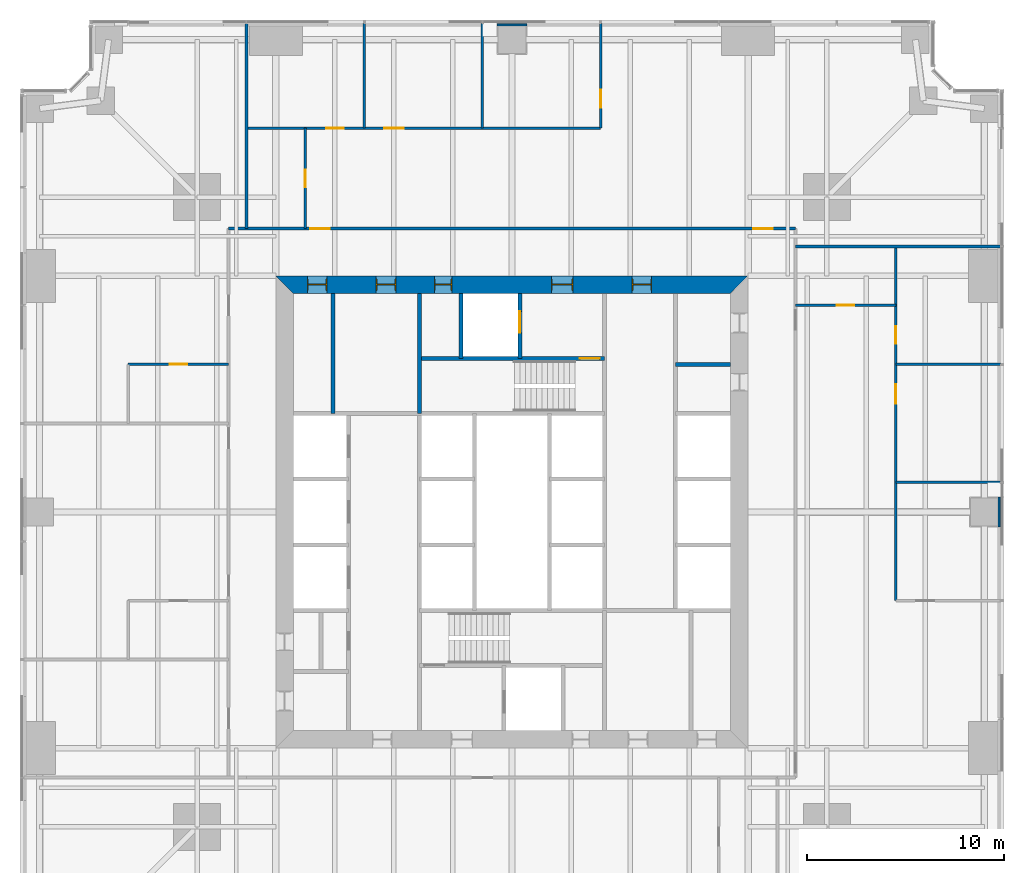
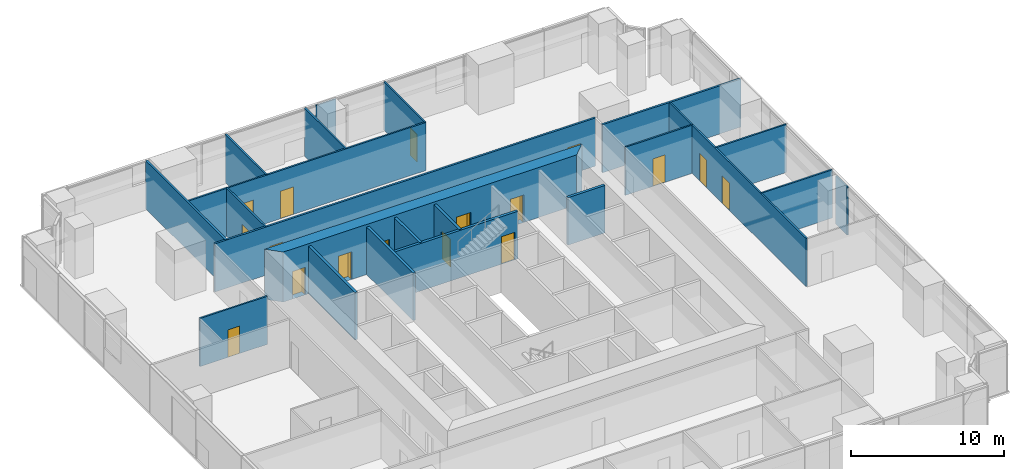
# One storey, part 11 of 14: 22 walls, 17 doors, 17 openings.
"""IFC4 building model written with IfcOpenShell, lengths in metres."""

from ifc_helpers import new_model, si_unit, direction, frame, frame_2d, origin, place, context, subcontext, project, spatial, polyline, rectangle, outline, extrude, material, layer, layer_set, type_object, element, fill, save


model = new_model("IFC4")

# Units and contexts
model_context = context("Model", 3, precision=1e-05, world=origin(), true_north=direction((0.0, 1.0)))
body_context = subcontext(model_context, "Body", "Model", "MODEL_VIEW")
ifc_project = project(units=[si_unit("LENGTHUNIT", "METRE"), si_unit("AREAUNIT", "SQUARE_METRE"), si_unit("VOLUMEUNIT", "CUBIC_METRE"), si_unit("PLANEANGLEUNIT", "RADIAN"), si_unit("MASSUNIT", "GRAM", prefix="KILO")], contexts=[model_context])

# Site, building, storey
site_placement = place(None, origin())
site = spatial("IfcSite", under=ifc_project, at=site_placement, CompositionType="ELEMENT")
building_placement = place(site_placement, origin())
building = spatial("IfcBuilding", under=site, at=building_placement, Name="Fenwick Lantern Interchange", CompositionType="ELEMENT")
storey_placement = place(building_placement, frame((0.0, 0.0, 83.0)))
storey = spatial("IfcBuildingStorey", under=building, at=storey_placement, Name="L19", CompositionType="ELEMENT", Elevation=83.0)

# Walls
ifc_material_1 = material(Name="Fire-rated gypsum board encasement on steel studs, 2 hour", Category="steel")
ifc_layer_1 = layer(ifc_material_1, 1.5)
ifc_layer_set_1 = layer_set([ifc_layer_1], Name="COLUMN PIER 1500")
wall_type_1 = type_object("IfcWallType", Name="COLUMN PIER 1500", PredefinedType="PARTITIONING", material=ifc_layer_set_1)
for number, where, z_axis, x_axis, name in (
    (1, (49.800048828125, 25.0, 0.0), (0.0, 0.0, 1.0), (-1.0, 0.0, 0.0), "L19/W/PIER/CE3"),
    (2, (25.0, 49.800048828125, 0.0), (0.0, 0.0, 1.0), (0.0, -1.0, 0.0), "L19/W/PIER/CN3"),
):
    element("IfcWall", number, at=place(storey_placement, frame(where, z_axis=z_axis, x_axis=x_axis)), inside=storey, type_object=wall_type_1, Name=name, PredefinedType="PARTITIONING", context=body_context, shape_type="SweptSolid", body=[
        extrude(rectangle(XDim=0.10009765625, YDim=1.5, at=frame_2d((0.050048828125, 0.0))), origin(), (0.0, 0.0, 1.0), 3.85009765625),
    ])

# Wall, opening, door
ifc_material_2 = material(Name="Concrete masonry ASTM C90 Grade N", Category="masonry")
ifc_layer_2 = layer(ifc_material_2, 0.199951171875)
ifc_layer_set_2 = layer_set([ifc_layer_2], Name="Concrete masonry ASTM C90 Grade N")
wall_type_2 = type_object("IfcWallType", Name="CORE PARTITION 200", PredefinedType="PARTITIONING", material=ifc_layer_set_2)
wall_1_placement = place(storey_placement, frame((25.39990234375, 36.10009765625, 0.0), z_axis=(0.0, 0.0, 1.0), x_axis=(0.0, -1.0, 0.0)))
wall_1 = element("IfcWall", 3, at=wall_1_placement, inside=storey, type_object=wall_type_2, Name="L19/W/COREN/h1", PredefinedType="PARTITIONING", context=body_context, shape_type="SweptSolid", body=[
    extrude(rectangle(XDim=3.300048828125, YDim=0.199951171875, at=frame_2d((1.64990234375, 0.0))), origin(), (0.0, 0.0, 1.0), 3.800048828125),
])
opening_1_placement = place(wall_1_placement, frame((0.89990234375, 0.0, 0.0)))
opening_1 = element("IfcOpeningElement", 4, at=opening_1_placement, cuts=wall_1, Name="Opening LD-FL2", PredefinedType="OPENING", context=body_context, shape_type="SweptSolid", body=[
    extrude(rectangle(XDim=1.10009765625, YDim=2.199951171875, at=frame_2d((0.550048828125, 1.10009765625))), frame((0.0, 0.10986328125, 0.0), z_axis=(0.0, -1.0, 0.0), x_axis=(1.0, 0.0, 0.0)), (0.0, 0.0, 1.0), 0.219970703125),
])
ifc_material_3 = material(Name="Steel door and frame", Category="steel")
door_type_1 = type_object("IfcDoorType", Name="LIFT LANDING DOOR 1100 X 2200", OperationType="DOUBLE_DOOR_SLIDING", PredefinedType="DOOR", material=ifc_material_3)
door_1_placement = place(opening_1_placement, origin())
door_1 = element("IfcDoor", 5, at=door_1_placement, inside=storey, type_object=door_type_1, Name="Lift landing door FL2", OperationType="DOUBLE_DOOR_SLIDING", OverallHeight=2.199951171875, OverallWidth=1.10009765625, PredefinedType="DOOR", context=body_context, shape_type="SweptSolid", body=[
    extrude(rectangle(XDim=1.10009765625, YDim=2.199951171875, at=frame_2d((0.550048828125, 1.10009765625))), frame((0.0, 0.02490234375, 0.0), z_axis=(0.0, -1.0, 0.0), x_axis=(1.0, 0.0, 0.0)), (0.0, 0.0, 1.0), 0.050048828125),
])
fill(opening_1, door_1)

# Walls
wall_2_placement = place(storey_placement, frame((22.39990234375, 36.10009765625, 0.0), z_axis=(0.0, 0.0, 1.0), x_axis=(0.0, -1.0, 0.0)))
element("IfcWall", 6, at=wall_2_placement, inside=storey, type_object=wall_type_2, Name="L19/W/COREN/h2", PredefinedType="PARTITIONING", context=body_context, shape_type="SweptSolid", body=[
    extrude(rectangle(XDim=3.300048828125, YDim=0.199951171875, at=frame_2d((1.64990234375, 0.0))), origin(), (0.0, 0.0, 1.0), 3.800048828125),
])
wall_3_placement = place(storey_placement, frame((15.89990234375, 36.10009765625, 0.0), z_axis=(0.0, 0.0, 1.0), x_axis=(0.0, -1.0, 0.0)))
element("IfcWall", 7, at=wall_3_placement, inside=storey, type_object=wall_type_2, Name="L19/W/COREN/i2", PredefinedType="PARTITIONING", context=body_context, shape_type="SweptSolid", body=[
    extrude(rectangle(XDim=6.10009765625, YDim=0.199951171875, at=frame_2d((3.050048828125, 0.0))), origin(), (0.0, 0.0, 1.0), 3.800048828125),
])
wall_4_placement = place(storey_placement, frame((36.10009765625, 32.5, 0.0), z_axis=(0.0, 0.0, 1.0), x_axis=(-1.0, 0.0, 0.0)))
element("IfcWall", 8, at=wall_4_placement, inside=storey, type_object=wall_type_2, Name="L19/W/COREN/p1", PredefinedType="PARTITIONING", context=body_context, shape_type="SweptSolid", body=[
    extrude(rectangle(XDim=2.800048828125, YDim=0.199951171875, at=frame_2d((1.39990234375, 0.0))), origin(), (0.0, 0.0, 1.0), 3.800048828125),
])

# Wall, openings, doors
ifc_material_4 = material(Name="Concrete f'c 70 MPa", Category="concrete")
ifc_layer_3 = layer(ifc_material_4, 0.89990234375)
ifc_layer_set_3 = layer_set([ifc_layer_3], Name="CORE WALL 900")
wall_type_3 = type_object("IfcWallType", Name="CORE WALL 900", PredefinedType="SHEAR", material=ifc_layer_set_3)
wall_5_placement = place(storey_placement, frame((37.0, 36.550048828125, 0.0), z_axis=(0.0, 0.0, 1.0), x_axis=(-1.0, 0.0, 0.0)))
wall_5 = element("IfcWall", 9, at=wall_5_placement, inside=storey, type_object=wall_type_3, Name="L19/CORE/N", PredefinedType="SHEAR", context=body_context, shape_type="SweptSolid", body=[
    extrude(outline(polyline([(0.0, -0.449951171875), (24.0, -0.449951171875), (23.10009765625, 0.449951171875), (0.89990234375, 0.449951171875), (0.0, -0.449951171875)])), origin(), (0.0, 0.0, 1.0), 4.0),
])
opening_2_placement = place(wall_5_placement, frame((4.89990234375, 0.0, 0.0)))
opening_2 = element("IfcOpeningElement", 10, at=opening_2_placement, cuts=wall_5, Name="Opening L19-D010", PredefinedType="OPENING", context=body_context, shape_type="SweptSolid", body=[
    extrude(rectangle(XDim=1.0, YDim=2.199951171875, at=frame_2d((0.5, 1.10009765625))), frame((0.0, 0.4599609375, 0.0), z_axis=(0.0, -1.0, 0.0), x_axis=(1.0, 0.0, 0.0)), (0.0, 0.0, 1.0), 0.919921875),
])
opening_3_placement = place(wall_5_placement, frame((8.89990234375, 0.0, 0.0)))
opening_3 = element("IfcOpeningElement", 11, at=opening_3_placement, cuts=wall_5, Name="Opening L19-D011", PredefinedType="OPENING", context=body_context, shape_type="SweptSolid", body=[
    extrude(rectangle(XDim=1.10009765625, YDim=2.199951171875, at=frame_2d((0.550048828125, 1.10009765625))), frame((0.0, 0.4599609375, 0.0), z_axis=(0.0, -1.0, 0.0), x_axis=(1.0, 0.0, 0.0)), (0.0, 0.0, 1.0), 0.919921875),
])
opening_4_placement = place(wall_5_placement, frame((15.050048828125, 0.0, 0.0)))
opening_4 = element("IfcOpeningElement", 12, at=opening_4_placement, cuts=wall_5, Name="Opening L19-D013", PredefinedType="OPENING", context=body_context, shape_type="SweptSolid", body=[
    extrude(rectangle(XDim=0.89990234375, YDim=2.199951171875, at=frame_2d((0.449951171875, 1.10009765625))), frame((0.0, 0.4599609375, 0.0), z_axis=(0.0, -1.0, 0.0), x_axis=(1.0, 0.0, 0.0)), (0.0, 0.0, 1.0), 0.919921875),
])
opening_5_placement = place(wall_5_placement, frame((17.89990234375, 0.0, 0.0)))
opening_5 = element("IfcOpeningElement", 13, at=opening_5_placement, cuts=wall_5, Name="Opening L19-D014", PredefinedType="OPENING", context=body_context, shape_type="SweptSolid", body=[
    extrude(rectangle(XDim=1.0, YDim=2.199951171875, at=frame_2d((0.5, 1.10009765625))), frame((0.0, 0.4599609375, 0.0), z_axis=(0.0, -1.0, 0.0), x_axis=(1.0, 0.0, 0.0)), (0.0, 0.0, 1.0), 0.919921875),
])
opening_6_placement = place(wall_5_placement, frame((21.39990234375, 0.0, 0.0)))
opening_6 = element("IfcOpeningElement", 14, at=opening_6_placement, cuts=wall_5, Name="Opening L19-D015", PredefinedType="OPENING", context=body_context, shape_type="SweptSolid", body=[
    extrude(rectangle(XDim=1.0, YDim=2.199951171875, at=frame_2d((0.5, 1.10009765625))), frame((0.0, 0.4599609375, 0.0), z_axis=(0.0, -1.0, 0.0), x_axis=(1.0, 0.0, 0.0)), (0.0, 0.0, 1.0), 0.919921875),
])
door_type_2 = type_object("IfcDoorType", Name="CORE LOBBY DOOR 1000 X 2200", OperationType="SINGLE_SWING_LEFT", PredefinedType="DOOR", material=ifc_material_3)
door_2_placement = place(opening_2_placement, origin())
door_2 = element("IfcDoor", 15, at=door_2_placement, inside=storey, type_object=door_type_2, Name="Core lobby door", OperationType="SINGLE_SWING_LEFT", OverallHeight=2.199951171875, OverallWidth=1.0, PredefinedType="DOOR", context=body_context, shape_type="SweptSolid", body=[
    extrude(rectangle(XDim=1.0, YDim=2.199951171875, at=frame_2d((0.5, 1.10009765625))), frame((0.0, 0.02490234375, 0.0), z_axis=(0.0, -1.0, 0.0), x_axis=(1.0, 0.0, 0.0)), (0.0, 0.0, 1.0), 0.050048828125),
    extrude(outline(polyline([(0.0, 0.0), (0.0400390625, 0.0), (0.0400390625, 2.159912109375), (0.9599609375, 2.159912109375), (0.9599609375, 0.0), (1.0, 0.0), (1.0, 2.199951171875), (0.0, 2.199951171875), (0.0, 0.0)])), frame((0.0, 0.300048828125, 0.0), z_axis=(0.0, -1.0, 0.0), x_axis=(1.0, 0.0, 0.0)), (0.0, 0.0, 1.0), 0.60009765625),
])
fill(opening_2, door_2)
door_type_3 = type_object("IfcDoorType", Name="FIRE LOBBY DOOR 1100 X 2200", OperationType="SINGLE_SWING_LEFT", PredefinedType="DOOR", material=ifc_material_3)
door_3_placement = place(opening_3_placement, origin())
door_3 = element("IfcDoor", 16, at=door_3_placement, inside=storey, type_object=door_type_3, Name="Fire lobby door", OperationType="SINGLE_SWING_LEFT", OverallHeight=2.199951171875, OverallWidth=1.10009765625, PredefinedType="DOOR", context=body_context, shape_type="SweptSolid", body=[
    extrude(rectangle(XDim=1.10009765625, YDim=2.199951171875, at=frame_2d((0.550048828125, 1.10009765625))), frame((0.0, 0.02490234375, 0.0), z_axis=(0.0, -1.0, 0.0), x_axis=(1.0, 0.0, 0.0)), (0.0, 0.0, 1.0), 0.050048828125),
    extrude(outline(polyline([(0.0, 0.0), (0.0400390625, 0.0), (0.0400390625, 2.159912109375), (1.06005859375, 2.159912109375), (1.06005859375, 0.0), (1.10009765625, 0.0), (1.10009765625, 2.199951171875), (0.0, 2.199951171875), (0.0, 0.0)])), frame((0.0, 0.300048828125, 0.0), z_axis=(0.0, -1.0, 0.0), x_axis=(1.0, 0.0, 0.0)), (0.0, 0.0, 1.0), 0.60009765625),
])
fill(opening_3, door_3)
door_type_4 = type_object("IfcDoorType", Name="SERVICE DOOR 900 X 2200", OperationType="SINGLE_SWING_LEFT", PredefinedType="DOOR", material=ifc_material_3)
door_4_placement = place(opening_4_placement, origin())
door_4 = element("IfcDoor", 17, at=door_4_placement, inside=storey, type_object=door_type_4, Name="Service door", OperationType="SINGLE_SWING_LEFT", OverallHeight=2.199951171875, OverallWidth=0.89990234375, PredefinedType="DOOR", context=body_context, shape_type="SweptSolid", body=[
    extrude(rectangle(XDim=0.89990234375, YDim=2.199951171875, at=frame_2d((0.449951171875, 1.10009765625))), frame((0.0, 0.02490234375, 0.0), z_axis=(0.0, -1.0, 0.0), x_axis=(1.0, 0.0, 0.0)), (0.0, 0.0, 1.0), 0.050048828125),
    extrude(outline(polyline([(0.0, 0.0), (0.0400390625, 0.0), (0.0400390625, 2.159912109375), (0.85986328125, 2.159912109375), (0.85986328125, 0.0), (0.89990234375, 0.0), (0.89990234375, 2.199951171875), (0.0, 2.199951171875), (0.0, 0.0)])), frame((0.0, 0.300048828125, 0.0), z_axis=(0.0, -1.0, 0.0), x_axis=(1.0, 0.0, 0.0)), (0.0, 0.0, 1.0), 0.60009765625),
])
fill(opening_4, door_4)
ifc_material_5 = material(Name="Hardwood door and steel frame", Category="steel")
door_type_5 = type_object("IfcDoorType", Name="WC DOOR 1000 X 2200", OperationType="SINGLE_SWING_LEFT", PredefinedType="DOOR", material=ifc_material_5)
door_5_placement = place(opening_5_placement, origin())
door_5 = element("IfcDoor", 18, at=door_5_placement, inside=storey, type_object=door_type_5, Name="Wc door", OperationType="SINGLE_SWING_LEFT", OverallHeight=2.199951171875, OverallWidth=1.0, PredefinedType="DOOR", context=body_context, shape_type="SweptSolid", body=[
    extrude(rectangle(XDim=1.0, YDim=2.199951171875, at=frame_2d((0.5, 1.10009765625))), frame((0.0, 0.02490234375, 0.0), z_axis=(0.0, -1.0, 0.0), x_axis=(1.0, 0.0, 0.0)), (0.0, 0.0, 1.0), 0.050048828125),
    extrude(outline(polyline([(0.0, 0.0), (0.0400390625, 0.0), (0.0400390625, 2.159912109375), (0.9599609375, 2.159912109375), (0.9599609375, 0.0), (1.0, 0.0), (1.0, 2.199951171875), (0.0, 2.199951171875), (0.0, 0.0)])), frame((0.0, 0.300048828125, 0.0), z_axis=(0.0, -1.0, 0.0), x_axis=(1.0, 0.0, 0.0)), (0.0, 0.0, 1.0), 0.60009765625),
])
fill(opening_5, door_5)
door_6_placement = place(opening_6_placement, origin())
door_6 = element("IfcDoor", 19, at=door_6_placement, inside=storey, type_object=door_type_5, Name="Wc door", OperationType="SINGLE_SWING_LEFT", OverallHeight=2.199951171875, OverallWidth=1.0, PredefinedType="DOOR", context=body_context, shape_type="SweptSolid", body=[
    extrude(rectangle(XDim=1.0, YDim=2.199951171875, at=frame_2d((0.5, 1.10009765625))), frame((0.0, 0.02490234375, 0.0), z_axis=(0.0, -1.0, 0.0), x_axis=(1.0, 0.0, 0.0)), (0.0, 0.0, 1.0), 0.050048828125),
    extrude(outline(polyline([(0.0, 0.0), (0.0400390625, 0.0), (0.0400390625, 2.159912109375), (0.9599609375, 2.159912109375), (0.9599609375, 0.0), (1.0, 0.0), (1.0, 2.199951171875), (0.0, 2.199951171875), (0.0, 0.0)])), frame((0.0, 0.300048828125, 0.0), z_axis=(0.0, -1.0, 0.0), x_axis=(1.0, 0.0, 0.0)), (0.0, 0.0, 1.0), 0.60009765625),
])
fill(opening_6, door_6)

ifc_material_6 = material(Name="Gypsum board on steel studs, 1 hour", Category="steel")
ifc_layer_4 = layer(ifc_material_6, 0.14990234375)
ifc_layer_set_4 = layer_set([ifc_layer_4], Name="CORRIDOR WALL 150")
wall_type_4 = type_object("IfcWallType", Name="CORRIDOR WALL 150", PredefinedType="PARTITIONING", material=ifc_layer_set_4)
wall_6_placement = place(storey_placement, frame((39.39990234375, 39.39990234375, 0.0), z_axis=(0.0, 0.0, 1.0), x_axis=(-1.0, 0.0, 0.0)))
wall_6 = element("IfcWall", 20, at=wall_6_placement, inside=storey, type_object=wall_type_4, Name="L19/W/OFF/N/CW2", PredefinedType="PARTITIONING", context=body_context, shape_type="SweptSolid", body=[
    extrude(rectangle(XDim=28.7998046875, YDim=0.14990234375, at=frame_2d((14.39990234375, 0.0))), origin(), (0.0, 0.0, 1.0), 3.85009765625),
])
opening_7_placement = place(wall_6_placement, frame((1.14990234375, 0.0, 0.0)))
opening_7 = element("IfcOpeningElement", 21, at=opening_7_placement, cuts=wall_6, Name="Opening L19-D030", PredefinedType="OPENING", context=body_context, shape_type="SweptSolid", body=[
    extrude(rectangle(XDim=1.0, YDim=2.199951171875, at=frame_2d((0.5, 1.10009765625))), frame((0.0, 0.0849609375, 0.0), z_axis=(0.0, -1.0, 0.0), x_axis=(1.0, 0.0, 0.0)), (0.0, 0.0, 1.0), 0.169921875),
])
opening_8_placement = place(wall_6_placement, frame((23.64990234375, 0.0, 0.0)))
opening_8 = element("IfcOpeningElement", 22, at=opening_8_placement, cuts=wall_6, Name="Opening L19-D031", PredefinedType="OPENING", context=body_context, shape_type="SweptSolid", body=[
    extrude(rectangle(XDim=1.0, YDim=2.199951171875, at=frame_2d((0.5, 1.10009765625))), frame((0.0, 0.0849609375, 0.0), z_axis=(0.0, -1.0, 0.0), x_axis=(1.0, 0.0, 0.0)), (0.0, 0.0, 1.0), 0.169921875),
])
door_type_6 = type_object("IfcDoorType", Name="SUITE ENTRANCE DOOR 1000 X 2200", OperationType="SINGLE_SWING_LEFT", PredefinedType="DOOR", material=ifc_material_3)
door_7_placement = place(opening_7_placement, origin())
door_7 = element("IfcDoor", 23, at=door_7_placement, inside=storey, type_object=door_type_6, Name="Suite entrance door", OperationType="SINGLE_SWING_LEFT", OverallHeight=2.199951171875, OverallWidth=1.0, PredefinedType="DOOR", context=body_context, shape_type="SweptSolid", body=[
    extrude(rectangle(XDim=1.0, YDim=2.199951171875, at=frame_2d((0.5, 1.10009765625))), frame((0.0, 0.02490234375, 0.0), z_axis=(0.0, -1.0, 0.0), x_axis=(1.0, 0.0, 0.0)), (0.0, 0.0, 1.0), 0.050048828125),
])
fill(opening_7, door_7)
door_8_placement = place(opening_8_placement, origin())
door_8 = element("IfcDoor", 24, at=door_8_placement, inside=storey, type_object=door_type_6, Name="Suite entrance door", OperationType="SINGLE_SWING_RIGHT", OverallHeight=2.199951171875, OverallWidth=1.0, PredefinedType="DOOR", context=body_context, shape_type="SweptSolid", body=[
    extrude(rectangle(XDim=1.0, YDim=2.199951171875, at=frame_2d((0.5, 1.10009765625))), frame((0.0, 0.02490234375, 0.0), z_axis=(0.0, -1.0, 0.0), x_axis=(1.0, 0.0, 0.0)), (0.0, 0.0, 1.0), 0.050048828125),
])
fill(opening_8, door_8)

# Walls
ifc_material_7 = material(Name="Gypsum board on steel studs, acoustic", Category="steel")
ifc_layer_5 = layer(ifc_material_7, 0.125)
ifc_layer_set_5 = layer_set([ifc_layer_5], Name="OFFICE PARTITION 125")
wall_type_5 = type_object("IfcWallType", Name="OFFICE PARTITION 125", PredefinedType="PARTITIONING", material=ifc_layer_set_5)
for number, where, z_axis, x_axis, name in (
    (25, (49.85009765625, 26.5, 0.0), (0.0, 0.0, 1.0), (-1.0, 0.0, 0.0), "L19/W/OFF/E/X265-1"),
    (26, (49.85009765625, 32.5, 0.0), (0.0, 0.0, 1.0), (-1.0, 0.0, 0.0), "L19/W/OFF/E/X325-1"),
):
    element("IfcWall", number, at=place(storey_placement, frame(where, z_axis=z_axis, x_axis=x_axis)), inside=storey, type_object=wall_type_5, Name=name, PredefinedType="PARTITIONING", context=body_context, shape_type="SweptSolid", body=[
        extrude(rectangle(XDim=5.35009765625, YDim=0.125, at=frame_2d((2.675048828125, 0.0))), origin(), (0.0, 0.0, 1.0), 3.85009765625),
    ])

# Wall, opening, door
wall_7_placement = place(storey_placement, frame((44.5, 35.5, 0.0), z_axis=(0.0, 0.0, 1.0), x_axis=(-1.0, 0.0, 0.0)))
wall_7 = element("IfcWall", 27, at=wall_7_placement, inside=storey, type_object=wall_type_5, Name="L19/W/OFF/E/X355-1", PredefinedType="PARTITIONING", context=body_context, shape_type="SweptSolid", body=[
    extrude(rectangle(XDim=5.10009765625, YDim=0.125, at=frame_2d((2.550048828125, 0.0))), origin(), (0.0, 0.0, 1.0), 3.85009765625),
])
opening_9_placement = place(wall_7_placement, frame((2.10009765625, 0.0, 0.0)))
opening_9 = element("IfcOpeningElement", 28, at=opening_9_placement, cuts=wall_7, Name="Opening L19-D029", PredefinedType="OPENING", context=body_context, shape_type="SweptSolid", body=[
    extrude(rectangle(XDim=0.89990234375, YDim=2.199951171875, at=frame_2d((0.449951171875, 1.10009765625))), frame((0.0, 0.072509765625, 0.0), z_axis=(0.0, -1.0, 0.0), x_axis=(1.0, 0.0, 0.0)), (0.0, 0.0, 1.0), 0.14501953125),
])
door_type_7 = type_object("IfcDoorType", Name="OFFICE DOOR 900 X 2200", OperationType="SINGLE_SWING_LEFT", PredefinedType="DOOR", material=ifc_material_5)
door_9_placement = place(opening_9_placement, frame((0.89990234375, 0.0, 0.0), z_axis=(0.0, 0.0, 1.0), x_axis=(-1.0, 0.0, 0.0)))
door_9 = element("IfcDoor", 29, at=door_9_placement, inside=storey, type_object=door_type_7, Name="Office door", OperationType="SINGLE_SWING_RIGHT", OverallHeight=2.199951171875, OverallWidth=0.89990234375, PredefinedType="DOOR", context=body_context, shape_type="SweptSolid", body=[
    extrude(rectangle(XDim=0.89990234375, YDim=2.199951171875, at=frame_2d((0.449951171875, 1.10009765625))), frame((0.0, 0.02490234375, 0.0), z_axis=(0.0, -1.0, 0.0), x_axis=(1.0, 0.0, 0.0)), (0.0, 0.0, 1.0), 0.050048828125),
])
fill(opening_9, door_9)

# Wall, openings, doors
wall_8_placement = place(storey_placement, frame((44.5, 20.5, 0.0), z_axis=(0.0, 0.0, 1.0), x_axis=(0.0, 1.0, 0.0)))
wall_8 = element("IfcWall", 30, at=wall_8_placement, inside=storey, type_object=wall_type_5, Name="L19/W/OFF/E/Y55-1", PredefinedType="PARTITIONING", context=body_context, shape_type="SweptSolid", body=[
    extrude(rectangle(XDim=18.0, YDim=0.125, at=frame_2d((9.0, 0.0))), origin(), (0.0, 0.0, 1.0), 3.85009765625),
])
opening_10_placement = place(wall_8_placement, frame((10.0, 0.0, 0.0)))
opening_10 = element("IfcOpeningElement", 31, at=opening_10_placement, cuts=wall_8, Name="Opening L19-D027", PredefinedType="OPENING", context=body_context, shape_type="SweptSolid", body=[
    extrude(rectangle(XDim=1.0, YDim=2.199951171875, at=frame_2d((0.5, 1.10009765625))), frame((0.0, 0.072509765625, 0.0), z_axis=(0.0, -1.0, 0.0), x_axis=(1.0, 0.0, 0.0)), (0.0, 0.0, 1.0), 0.14501953125),
])
opening_11_placement = place(wall_8_placement, frame((13.050048828125, 0.0, 0.0)))
opening_11 = element("IfcOpeningElement", 32, at=opening_11_placement, cuts=wall_8, Name="Opening L19-D028", PredefinedType="OPENING", context=body_context, shape_type="SweptSolid", body=[
    extrude(rectangle(XDim=0.89990234375, YDim=2.199951171875, at=frame_2d((0.449951171875, 1.10009765625))), frame((0.0, 0.072509765625, 0.0), z_axis=(0.0, -1.0, 0.0), x_axis=(1.0, 0.0, 0.0)), (0.0, 0.0, 1.0), 0.14501953125),
])
door_type_8 = type_object("IfcDoorType", Name="MEETING ROOM DOOR 1000 X 2200", OperationType="SINGLE_SWING_LEFT", PredefinedType="DOOR", material=ifc_material_5)
door_10_placement = place(opening_10_placement, frame((1.0, 0.0, 0.0), z_axis=(0.0, 0.0, 1.0), x_axis=(-1.0, 0.0, 0.0)))
door_10 = element("IfcDoor", 33, at=door_10_placement, inside=storey, type_object=door_type_8, Name="Meeting room door", OperationType="SINGLE_SWING_LEFT", OverallHeight=2.199951171875, OverallWidth=1.0, PredefinedType="DOOR", context=body_context, shape_type="SweptSolid", body=[
    extrude(rectangle(XDim=1.0, YDim=2.199951171875, at=frame_2d((0.5, 1.10009765625))), frame((0.0, 0.02490234375, 0.0), z_axis=(0.0, -1.0, 0.0), x_axis=(1.0, 0.0, 0.0)), (0.0, 0.0, 1.0), 0.050048828125),
])
fill(opening_10, door_10)
door_11_placement = place(opening_11_placement, frame((0.89990234375, 0.0, 0.0), z_axis=(0.0, 0.0, 1.0), x_axis=(-1.0, 0.0, 0.0)))
door_11 = element("IfcDoor", 34, at=door_11_placement, inside=storey, type_object=door_type_7, Name="Office door", OperationType="SINGLE_SWING_RIGHT", OverallHeight=2.199951171875, OverallWidth=0.89990234375, PredefinedType="DOOR", context=body_context, shape_type="SweptSolid", body=[
    extrude(rectangle(XDim=0.89990234375, YDim=2.199951171875, at=frame_2d((0.449951171875, 1.10009765625))), frame((0.0, 0.02490234375, 0.0), z_axis=(0.0, -1.0, 0.0), x_axis=(1.0, 0.0, 0.0)), (0.0, 0.0, 1.0), 0.050048828125),
])
fill(opening_11, door_11)

# Wall, opening, door
wall_9_placement = place(storey_placement, frame((29.5, 49.85009765625, 0.0), z_axis=(0.0, 0.0, 1.0), x_axis=(0.0, -1.0, 0.0)))
wall_9 = element("IfcWall", 35, at=wall_9_placement, inside=storey, type_object=wall_type_5, Name="L19/W/OFF/N/X205-1", PredefinedType="PARTITIONING", context=body_context, shape_type="SweptSolid", body=[
    extrude(rectangle(XDim=5.35009765625, YDim=0.125, at=frame_2d((2.675048828125, 0.0))), origin(), (0.0, 0.0, 1.0), 3.85009765625),
])
opening_12_placement = place(wall_9_placement, frame((3.39990234375, 0.0, 0.0)))
opening_12 = element("IfcOpeningElement", 36, at=opening_12_placement, cuts=wall_9, Name="Opening L19-D032", PredefinedType="OPENING", context=body_context, shape_type="SweptSolid", body=[
    extrude(rectangle(XDim=0.89990234375, YDim=2.199951171875, at=frame_2d((0.449951171875, 1.10009765625))), frame((0.0, 0.072509765625, 0.0), z_axis=(0.0, -1.0, 0.0), x_axis=(1.0, 0.0, 0.0)), (0.0, 0.0, 1.0), 0.14501953125),
])
door_12_placement = place(opening_12_placement, frame((0.89990234375, 0.0, 0.0), z_axis=(0.0, 0.0, 1.0), x_axis=(-1.0, 0.0, 0.0)))
door_12 = element("IfcDoor", 37, at=door_12_placement, inside=storey, type_object=door_type_7, Name="Office door", OperationType="SINGLE_SWING_LEFT", OverallHeight=2.199951171875, OverallWidth=0.89990234375, PredefinedType="DOOR", context=body_context, shape_type="SweptSolid", body=[
    extrude(rectangle(XDim=0.89990234375, YDim=2.199951171875, at=frame_2d((0.449951171875, 1.10009765625))), frame((0.0, 0.02490234375, 0.0), z_axis=(0.0, -1.0, 0.0), x_axis=(1.0, 0.0, 0.0)), (0.0, 0.0, 1.0), 0.050048828125),
])
fill(opening_12, door_12)

# Walls
for number, where, z_axis, x_axis, name in (
    (38, (23.5, 49.85009765625, 0.0), (0.0, 0.0, 1.0), (0.0, -1.0, 0.0), "L19/W/OFF/N/X265-1"),
    (39, (17.5, 49.85009765625, 0.0), (0.0, 0.0, 1.0), (0.0, -1.0, 0.0), "L19/W/OFF/N/X325-1"),
):
    element("IfcWall", number, at=place(storey_placement, frame(where, z_axis=z_axis, x_axis=x_axis)), inside=storey, type_object=wall_type_5, Name=name, PredefinedType="PARTITIONING", context=body_context, shape_type="SweptSolid", body=[
        extrude(rectangle(XDim=5.35009765625, YDim=0.125, at=frame_2d((2.675048828125, 0.0))), origin(), (0.0, 0.0, 1.0), 3.85009765625),
    ])

# Wall, opening, door
wall_10_placement = place(storey_placement, frame((14.5, 44.5, 0.0), z_axis=(0.0, 0.0, 1.0), x_axis=(0.0, -1.0, 0.0)))
wall_10 = element("IfcWall", 40, at=wall_10_placement, inside=storey, type_object=wall_type_5, Name="L19/W/OFF/N/X355-1", PredefinedType="PARTITIONING", context=body_context, shape_type="SweptSolid", body=[
    extrude(rectangle(XDim=5.10009765625, YDim=0.125, at=frame_2d((2.550048828125, 0.0))), origin(), (0.0, 0.0, 1.0), 3.85009765625),
])
opening_13_placement = place(wall_10_placement, frame((2.10009765625, 0.0, 0.0)))
opening_13 = element("IfcOpeningElement", 41, at=opening_13_placement, cuts=wall_10, Name="Opening L19-D035", PredefinedType="OPENING", context=body_context, shape_type="SweptSolid", body=[
    extrude(rectangle(XDim=0.89990234375, YDim=2.199951171875, at=frame_2d((0.449951171875, 1.10009765625))), frame((0.0, 0.072509765625, 0.0), z_axis=(0.0, -1.0, 0.0), x_axis=(1.0, 0.0, 0.0)), (0.0, 0.0, 1.0), 0.14501953125),
])
door_13_placement = place(opening_13_placement, frame((0.89990234375, 0.0, 0.0), z_axis=(0.0, 0.0, 1.0), x_axis=(-1.0, 0.0, 0.0)))
door_13 = element("IfcDoor", 42, at=door_13_placement, inside=storey, type_object=door_type_7, Name="Office door", OperationType="SINGLE_SWING_RIGHT", OverallHeight=2.199951171875, OverallWidth=0.89990234375, PredefinedType="DOOR", context=body_context, shape_type="SweptSolid", body=[
    extrude(rectangle(XDim=0.89990234375, YDim=2.199951171875, at=frame_2d((0.449951171875, 1.10009765625))), frame((0.0, 0.02490234375, 0.0), z_axis=(0.0, -1.0, 0.0), x_axis=(1.0, 0.0, 0.0)), (0.0, 0.0, 1.0), 0.050048828125),
])
fill(opening_13, door_13)

# Wall, openings, doors
wall_11_placement = place(storey_placement, frame((29.5, 44.5, 0.0), z_axis=(0.0, 0.0, 1.0), x_axis=(-1.0, 0.0, 0.0)))
wall_11 = element("IfcWall", 43, at=wall_11_placement, inside=storey, type_object=wall_type_5, Name="L19/W/OFF/N/Y55-1", PredefinedType="PARTITIONING", context=body_context, shape_type="SweptSolid", body=[
    extrude(rectangle(XDim=18.0, YDim=0.125, at=frame_2d((9.0, 0.0))), origin(), (0.0, 0.0, 1.0), 3.85009765625),
])
opening_14_placement = place(wall_11_placement, frame((10.0, 0.0, 0.0)))
opening_14 = element("IfcOpeningElement", 44, at=opening_14_placement, cuts=wall_11, Name="Opening L19-D033", PredefinedType="OPENING", context=body_context, shape_type="SweptSolid", body=[
    extrude(rectangle(XDim=1.0, YDim=2.199951171875, at=frame_2d((0.5, 1.10009765625))), frame((0.0, 0.072509765625, 0.0), z_axis=(0.0, -1.0, 0.0), x_axis=(1.0, 0.0, 0.0)), (0.0, 0.0, 1.0), 0.14501953125),
])
opening_15_placement = place(wall_11_placement, frame((13.050048828125, 0.0, 0.0)))
opening_15 = element("IfcOpeningElement", 45, at=opening_15_placement, cuts=wall_11, Name="Opening L19-D034", PredefinedType="OPENING", context=body_context, shape_type="SweptSolid", body=[
    extrude(rectangle(XDim=0.89990234375, YDim=2.199951171875, at=frame_2d((0.449951171875, 1.10009765625))), frame((0.0, 0.072509765625, 0.0), z_axis=(0.0, -1.0, 0.0), x_axis=(1.0, 0.0, 0.0)), (0.0, 0.0, 1.0), 0.14501953125),
])
door_14_placement = place(opening_14_placement, frame((1.0, 0.0, 0.0), z_axis=(0.0, 0.0, 1.0), x_axis=(-1.0, 0.0, 0.0)))
door_14 = element("IfcDoor", 46, at=door_14_placement, inside=storey, type_object=door_type_8, Name="Meeting room door", OperationType="SINGLE_SWING_LEFT", OverallHeight=2.199951171875, OverallWidth=1.0, PredefinedType="DOOR", context=body_context, shape_type="SweptSolid", body=[
    extrude(rectangle(XDim=1.0, YDim=2.199951171875, at=frame_2d((0.5, 1.10009765625))), frame((0.0, 0.02490234375, 0.0), z_axis=(0.0, -1.0, 0.0), x_axis=(1.0, 0.0, 0.0)), (0.0, 0.0, 1.0), 0.050048828125),
])
fill(opening_14, door_14)
door_15_placement = place(opening_15_placement, frame((0.89990234375, 0.0, 0.0), z_axis=(0.0, 0.0, 1.0), x_axis=(-1.0, 0.0, 0.0)))
door_15 = element("IfcDoor", 47, at=door_15_placement, inside=storey, type_object=door_type_7, Name="Office door", OperationType="SINGLE_SWING_RIGHT", OverallHeight=2.199951171875, OverallWidth=0.89990234375, PredefinedType="DOOR", context=body_context, shape_type="SweptSolid", body=[
    extrude(rectangle(XDim=0.89990234375, YDim=2.199951171875, at=frame_2d((0.449951171875, 1.10009765625))), frame((0.0, 0.02490234375, 0.0), z_axis=(0.0, -1.0, 0.0), x_axis=(1.0, 0.0, 0.0)), (0.0, 0.0, 1.0), 0.050048828125),
])
fill(opening_15, door_15)

# Wall, opening, door
wall_12_placement = place(storey_placement, frame((5.5, 32.5, 0.0), z_axis=(0.0, 0.0, 1.0), x_axis=(1.0, 0.0, 0.0)))
wall_12 = element("IfcWall", 48, at=wall_12_placement, inside=storey, type_object=wall_type_5, Name="L19/W/OFF/W/X175-1", PredefinedType="PARTITIONING", context=body_context, shape_type="SweptSolid", body=[
    extrude(rectangle(XDim=5.10009765625, YDim=0.125, at=frame_2d((2.550048828125, 0.0))), origin(), (0.0, 0.0, 1.0), 3.85009765625),
])
opening_16_placement = place(wall_12_placement, frame((2.10009765625, 0.0, 0.0)))
opening_16 = element("IfcOpeningElement", 49, at=opening_16_placement, cuts=wall_12, Name="Opening L19-D037", PredefinedType="OPENING", context=body_context, shape_type="SweptSolid", body=[
    extrude(rectangle(XDim=0.89990234375, YDim=2.199951171875, at=frame_2d((0.449951171875, 1.10009765625))), frame((0.0, 0.072509765625, 0.0), z_axis=(0.0, -1.0, 0.0), x_axis=(1.0, 0.0, 0.0)), (0.0, 0.0, 1.0), 0.14501953125),
])
door_16_placement = place(opening_16_placement, frame((0.89990234375, 0.0, 0.0), z_axis=(0.0, 0.0, 1.0), x_axis=(-1.0, 0.0, 0.0)))
door_16 = element("IfcDoor", 50, at=door_16_placement, inside=storey, type_object=door_type_7, Name="Office door", OperationType="SINGLE_SWING_RIGHT", OverallHeight=2.199951171875, OverallWidth=0.89990234375, PredefinedType="DOOR", context=body_context, shape_type="SweptSolid", body=[
    extrude(rectangle(XDim=0.89990234375, YDim=2.199951171875, at=frame_2d((0.449951171875, 1.10009765625))), frame((0.0, 0.02490234375, 0.0), z_axis=(0.0, -1.0, 0.0), x_axis=(1.0, 0.0, 0.0)), (0.0, 0.0, 1.0), 0.050048828125),
])
fill(opening_16, door_16)

ifc_material_8 = material(Name="Concrete f'c 45 MPa", Category="concrete")
ifc_layer_6 = layer(ifc_material_8, 0.199951171875)
ifc_layer_set_6 = layer_set([ifc_layer_6], Name="STAIR CORE WALL 200")
wall_type_6 = type_object("IfcWallType", Name="STAIR CORE WALL 200", PredefinedType="SOLIDWALL", material=ifc_layer_set_6)
wall_13_placement = place(storey_placement, frame((29.699951171875, 32.800048828125, 0.0), z_axis=(0.0, 0.0, 1.0), x_axis=(-1.0, 0.0, 0.0)))
wall_13 = element("IfcWall", 51, at=wall_13_placement, inside=storey, type_object=wall_type_6, Name="L19/W/COREN/g1", PredefinedType="SOLIDWALL", context=body_context, shape_type="SweptSolid", body=[
    extrude(rectangle(XDim=9.39990234375, YDim=0.199951171875, at=frame_2d((4.699951171875, 0.0))), origin(), (0.0, 0.0, 1.0), 3.800048828125),
])
opening_17_placement = place(wall_13_placement, frame((0.25, 0.0, 0.0)))
opening_17 = element("IfcOpeningElement", 52, at=opening_17_placement, cuts=wall_13, Name="Opening L19-D012", PredefinedType="OPENING", context=body_context, shape_type="SweptSolid", body=[
    extrude(rectangle(XDim=1.0, YDim=2.199951171875, at=frame_2d((0.5, 1.10009765625))), frame((0.0, 0.10986328125, 0.0), z_axis=(0.0, -1.0, 0.0), x_axis=(1.0, 0.0, 0.0)), (0.0, 0.0, 1.0), 0.219970703125),
])
door_type_9 = type_object("IfcDoorType", Name="STAIR DOOR 1000 X 2200", OperationType="SINGLE_SWING_LEFT", PredefinedType="DOOR", material=ifc_material_3)
door_17_placement = place(opening_17_placement, origin())
door_17 = element("IfcDoor", 53, at=door_17_placement, inside=storey, type_object=door_type_9, Name="Stair door", OperationType="SINGLE_SWING_LEFT", OverallHeight=2.199951171875, OverallWidth=1.0, PredefinedType="DOOR", context=body_context, shape_type="SweptSolid", body=[
    extrude(rectangle(XDim=1.0, YDim=2.199951171875, at=frame_2d((0.5, 1.10009765625))), frame((0.0, 0.02490234375, 0.0), z_axis=(0.0, -1.0, 0.0), x_axis=(1.0, 0.0, 0.0)), (0.0, 0.0, 1.0), 0.050048828125),
])
fill(opening_17, door_17)

# Walls
wall_14_placement = place(storey_placement, frame((20.300048828125, 36.10009765625, 0.0), z_axis=(0.0, 0.0, 1.0), x_axis=(0.0, -1.0, 0.0)))
element("IfcWall", 54, at=wall_14_placement, inside=storey, type_object=wall_type_6, Name="L19/W/COREN/i1", PredefinedType="SOLIDWALL", context=body_context, shape_type="SweptSolid", body=[
    extrude(rectangle(XDim=6.10009765625, YDim=0.199951171875, at=frame_2d((3.050048828125, 0.0))), origin(), (0.0, 0.0, 1.0), 3.800048828125),
])
ifc_material_9 = material(Name="Gypsum board on steel studs, 1 hour acoustic", Category="steel")
ifc_layer_7 = layer(ifc_material_9, 0.14990234375)
ifc_layer_set_7 = layer_set([ifc_layer_7], Name="TENANT WALL 150")
wall_type_7 = type_object("IfcWallType", Name="TENANT WALL 150", PredefinedType="PARTITIONING", material=ifc_layer_set_7)
for number, where, z_axis, x_axis, name in (
    (55, (49.85009765625, 38.5, 0.0), (0.0, 0.0, 1.0), (-1.0, 0.0, 0.0), "L19/W/OFF/N/BACK"),
    (56, (11.5, 49.85009765625, 0.0), (0.0, 0.0, 1.0), (0.0, -1.0, 0.0), "L19/W/OFF/W/BACK"),
):
    element("IfcWall", number, at=place(storey_placement, frame(where, z_axis=z_axis, x_axis=x_axis)), inside=storey, type_object=wall_type_7, Name=name, PredefinedType="PARTITIONING", context=body_context, shape_type="SweptSolid", body=[
        extrude(rectangle(XDim=10.4501953125, YDim=0.14990234375, at=frame_2d((5.22509765625, 0.0))), origin(), (0.0, 0.0, 1.0), 3.85009765625),
    ])

save(model, "model.ifc")
